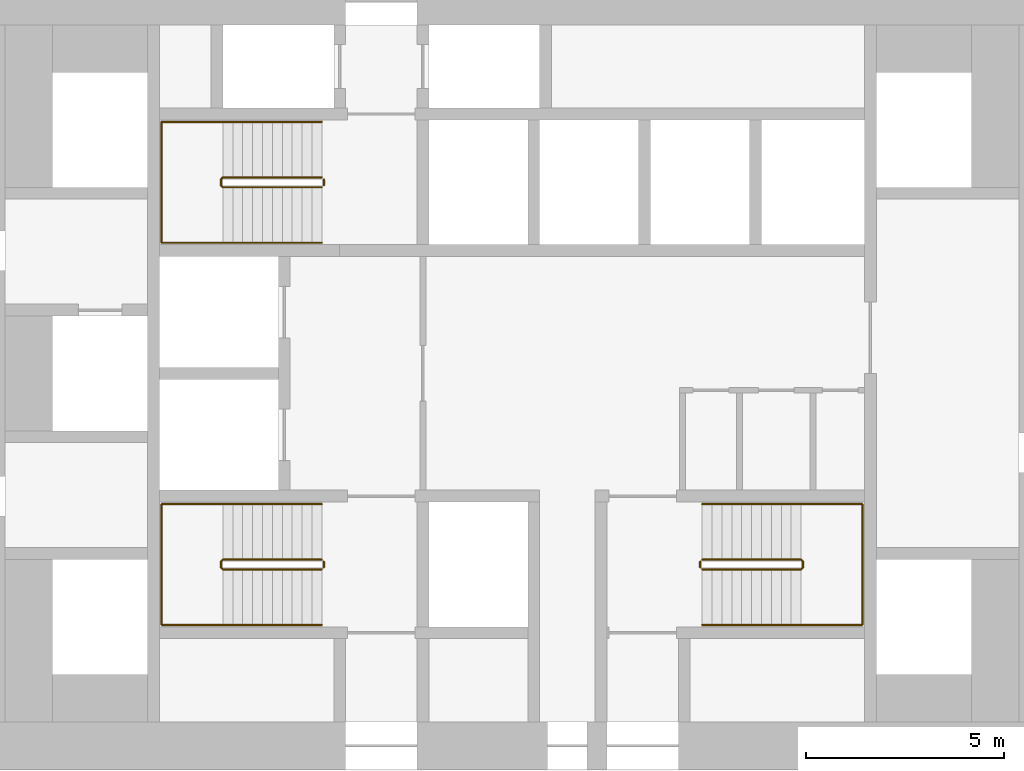
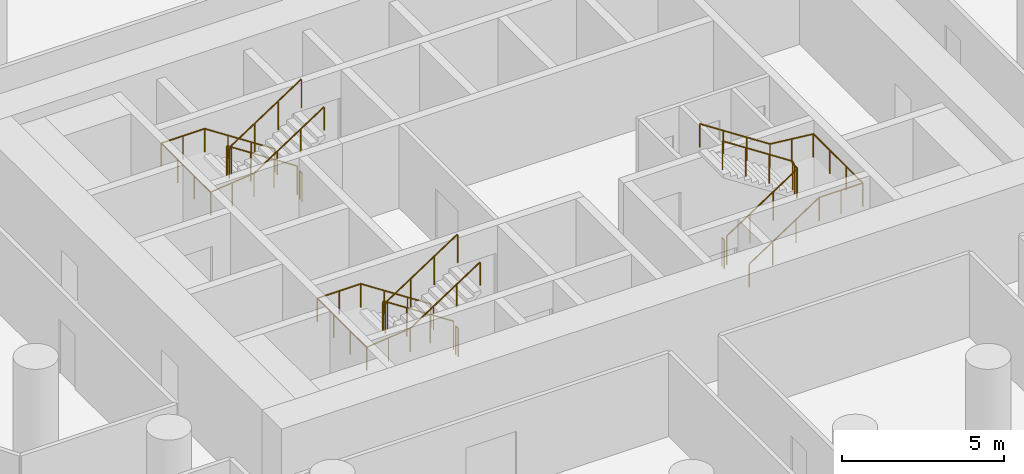
# One storey, part 11 of 11: 9 railings.
"""IFC4 building model written with IfcOpenShell, lengths in metres."""

from ifc_helpers import new_model, si_unit, direction, frame, origin, origin_2d, place, context, subcontext, project, spatial, circle, extrude, material, type_object, element, save


model = new_model("IFC4")

# Units and contexts
model_context = context("Model", 3, precision=1e-05, world=origin(), true_north=direction((0.0, 1.0)))
body_context = subcontext(model_context, "Body", "Model", "MODEL_VIEW")
ifc_project = project(units=[si_unit("LENGTHUNIT", "METRE"), si_unit("AREAUNIT", "SQUARE_METRE"), si_unit("VOLUMEUNIT", "CUBIC_METRE"), si_unit("PLANEANGLEUNIT", "RADIAN"), si_unit("MASSUNIT", "GRAM", prefix="KILO")], contexts=[model_context])

# Site, building, storey
site_placement = place(None, origin())
site = spatial("IfcSite", under=ifc_project, at=site_placement, CompositionType="ELEMENT")
building_placement = place(site_placement, origin())
building = spatial("IfcBuilding", under=site, at=building_placement, Name="Tracery Tower", CompositionType="ELEMENT")
storey_placement = place(building_placement, frame((0.0, 0.0, 64.199951171875)))
storey = spatial("IfcBuildingStorey", under=building, at=storey_placement, Name="L15", CompositionType="ELEMENT", Elevation=64.199951171875)

# Railings
ifc_material_1 = material(Name="Stainless steel and laminated glass", Category="steel")
railing_type_1 = type_object("IfcRailingType", Name="Stair guard 1100", PredefinedType="GUARDRAIL", material=ifc_material_1)
railing_1_placement = place(storey_placement, frame((-4.800048828125, -4.699951171875, 0.16357421875)))
element("IfcRailing", 1, at=railing_1_placement, inside=storey, type_object=railing_type_1, Name="L15 stair ST1 guard 1", PredefinedType="GUARDRAIL", context=body_context, shape_type="SweptSolid", body=[
    extrude(circle(Radius=0.02392578125, at=origin_2d()), frame((0.0, 0.0, 1.076171875), z_axis=(-0.83668449804, 0.0, 0.54768517484), x_axis=(0.0, -1.0, 0.0)), (0.0, 0.0, 1.0), 2.988037109375),
    extrude(circle(Radius=0.02392578125, at=origin_2d()), frame((-2.5, 0.0, 2.71240234375), z_axis=(-0.707106781187, -0.707106781187, 0.0), x_axis=(0.707106781187, -0.707106781187, 0.0)), (0.0, 0.0, 1.0), 0.07080078125),
    extrude(circle(Radius=0.02392578125, at=origin_2d()), frame((-2.550048828125, -0.050048828125, 2.71240234375), z_axis=(0.0, -1.0, 0.0), x_axis=(1.0, 0.0, 0.0)), (0.0, 0.0, 1.0), 0.14990234375),
    extrude(circle(Radius=0.02392578125, at=origin_2d()), frame((-2.550048828125, -0.199951171875, 2.71240234375), z_axis=(0.280808744504, -0.280808744504, 0.917765164963), x_axis=(0.707106781187, 0.707106781187, 0.0)), (0.0, 0.0, 1.0), 0.17822265625),
    extrude(circle(Radius=0.02392578125, at=origin_2d()), frame((-2.5, -0.25, 2.8759765625), z_axis=(0.83668449804, 0.0, 0.54768517484), x_axis=(0.0, 1.0, 0.0)), (0.0, 0.0, 1.0), 2.988037109375),
    extrude(circle(Radius=0.02099609375, at=origin_2d()), origin(), (0.0, 0.0, 1.0), 1.052001953125),
    extrude(circle(Radius=0.02099609375, at=origin_2d()), frame((-0.833251953125, 0.0, 0.54541015625)), (0.0, 0.0, 1.0), 1.052001953125),
    extrude(circle(Radius=0.02099609375, at=origin_2d()), frame((-1.666748046875, 0.0, 1.091064453125)), (0.0, 0.0, 1.0), 1.052001953125),
    extrude(circle(Radius=0.02099609375, at=origin_2d()), frame((-2.5, 0.0, 1.636474609375)), (0.0, 0.0, 1.0), 1.052001953125),
    extrude(circle(Radius=0.02099609375, at=origin_2d()), frame((-2.550048828125, -0.050048828125, 1.636474609375)), (0.0, 0.0, 1.0), 1.052001953125),
    extrude(circle(Radius=0.02099609375, at=origin_2d()), frame((-2.550048828125, -0.199951171875, 1.636474609375)), (0.0, 0.0, 1.0), 1.052001953125),
    extrude(circle(Radius=0.02099609375, at=origin_2d()), frame((-2.5, -0.25, 1.800048828125)), (0.0, 0.0, 1.0), 1.052001953125),
    extrude(circle(Radius=0.02099609375, at=origin_2d()), frame((-1.666748046875, -0.25, 2.345458984375)), (0.0, 0.0, 1.0), 1.052001953125),
    extrude(circle(Radius=0.02099609375, at=origin_2d()), frame((-0.833251953125, -0.25, 2.89111328125)), (0.0, 0.0, 1.0), 1.052001953125),
    extrude(circle(Radius=0.02099609375, at=origin_2d()), frame((0.0, -0.25, 3.4365234375)), (0.0, 0.0, 1.0), 1.052001953125),
])
railing_2_placement = place(storey_placement, frame((-4.75, -4.75, 0.0)))
element("IfcRailing", 2, at=railing_2_placement, inside=storey, type_object=railing_type_1, Name="L15 stair ST1 guard 2", PredefinedType="GUARDRAIL", context=body_context, shape_type="SweptSolid", body=[
    extrude(circle(Radius=0.02392578125, at=origin_2d()), frame((0.0, 0.0, 1.076171875), z_axis=(0.0, -1.0, 0.0), x_axis=(1.0, 0.0, 0.0)), (0.0, 0.0, 1.0), 0.14990234375),
    extrude(circle(Radius=0.02099609375, at=origin_2d()), origin(), (0.0, 0.0, 1.0), 1.052001953125),
    extrude(circle(Radius=0.02099609375, at=origin_2d()), frame((0.0, -0.14990234375, 0.0)), (0.0, 0.0, 1.0), 1.052001953125),
])
railing_3_placement = place(storey_placement, frame((-4.800048828125, 4.949951171875, 0.16357421875)))
element("IfcRailing", 3, at=railing_3_placement, inside=storey, type_object=railing_type_1, Name="L15 stair ST3 guard 1", PredefinedType="GUARDRAIL", context=body_context, shape_type="SweptSolid", body=[
    extrude(circle(Radius=0.02392578125, at=origin_2d()), frame((0.0, 0.0, 1.076171875), z_axis=(-0.83668449804, 0.0, 0.54768517484), x_axis=(0.0, -1.0, 0.0)), (0.0, 0.0, 1.0), 2.988037109375),
    extrude(circle(Radius=0.02392578125, at=origin_2d()), frame((-2.5, 0.0, 2.71240234375), z_axis=(-0.707106781187, -0.707106781187, 0.0), x_axis=(0.707106781187, -0.707106781187, 0.0)), (0.0, 0.0, 1.0), 0.07080078125),
    extrude(circle(Radius=0.02392578125, at=origin_2d()), frame((-2.550048828125, -0.050048828125, 2.71240234375), z_axis=(0.0, -1.0, 0.0), x_axis=(1.0, 0.0, 0.0)), (0.0, 0.0, 1.0), 0.14990234375),
    extrude(circle(Radius=0.02392578125, at=origin_2d()), frame((-2.550048828125, -0.199951171875, 2.71240234375), z_axis=(0.280808744504, -0.280808744504, 0.917765164963), x_axis=(0.707106781187, 0.707106781187, 0.0)), (0.0, 0.0, 1.0), 0.17822265625),
    extrude(circle(Radius=0.02392578125, at=origin_2d()), frame((-2.5, -0.25, 2.8759765625), z_axis=(0.83668449804, 0.0, 0.54768517484), x_axis=(0.0, 1.0, 0.0)), (0.0, 0.0, 1.0), 2.988037109375),
    extrude(circle(Radius=0.02099609375, at=origin_2d()), origin(), (0.0, 0.0, 1.0), 1.052001953125),
    extrude(circle(Radius=0.02099609375, at=origin_2d()), frame((-0.833251953125, 0.0, 0.54541015625)), (0.0, 0.0, 1.0), 1.052001953125),
    extrude(circle(Radius=0.02099609375, at=origin_2d()), frame((-1.666748046875, 0.0, 1.091064453125)), (0.0, 0.0, 1.0), 1.052001953125),
    extrude(circle(Radius=0.02099609375, at=origin_2d()), frame((-2.5, 0.0, 1.636474609375)), (0.0, 0.0, 1.0), 1.052001953125),
    extrude(circle(Radius=0.02099609375, at=origin_2d()), frame((-2.550048828125, -0.050048828125, 1.636474609375)), (0.0, 0.0, 1.0), 1.052001953125),
    extrude(circle(Radius=0.02099609375, at=origin_2d()), frame((-2.550048828125, -0.199951171875, 1.636474609375)), (0.0, 0.0, 1.0), 1.052001953125),
    extrude(circle(Radius=0.02099609375, at=origin_2d()), frame((-2.5, -0.25, 1.800048828125)), (0.0, 0.0, 1.0), 1.052001953125),
    extrude(circle(Radius=0.02099609375, at=origin_2d()), frame((-1.666748046875, -0.25, 2.345458984375)), (0.0, 0.0, 1.0), 1.052001953125),
    extrude(circle(Radius=0.02099609375, at=origin_2d()), frame((-0.833251953125, -0.25, 2.89111328125)), (0.0, 0.0, 1.0), 1.052001953125),
    extrude(circle(Radius=0.02099609375, at=origin_2d()), frame((0.0, -0.25, 3.4365234375)), (0.0, 0.0, 1.0), 1.052001953125),
])
railing_4_placement = place(storey_placement, frame((-4.75, 4.89990234375, 0.0)))
element("IfcRailing", 4, at=railing_4_placement, inside=storey, type_object=railing_type_1, Name="L15 stair ST3 guard 2", PredefinedType="GUARDRAIL", context=body_context, shape_type="SweptSolid", body=[
    extrude(circle(Radius=0.02392578125, at=origin_2d()), frame((0.0, 0.0, 1.076171875), z_axis=(0.0, -1.0, 0.0), x_axis=(1.0, 0.0, 0.0)), (0.0, 0.0, 1.0), 0.14990234375),
    extrude(circle(Radius=0.02099609375, at=origin_2d()), origin(), (0.0, 0.0, 1.0), 1.052001953125),
    extrude(circle(Radius=0.02099609375, at=origin_2d()), frame((0.0, -0.14990234375, 0.0)), (0.0, 0.0, 1.0), 1.052001953125),
])
railing_5_placement = place(storey_placement, frame((4.800048828125, -4.949951171875, 0.16357421875)))
element("IfcRailing", 5, at=railing_5_placement, inside=storey, type_object=railing_type_1, Name="L15 stair ST2 guard 1", PredefinedType="GUARDRAIL", context=body_context, shape_type="SweptSolid", body=[
    extrude(circle(Radius=0.02392578125, at=origin_2d()), frame((0.0, 0.0, 1.076171875), z_axis=(0.83668449804, 0.0, 0.54768517484), x_axis=(0.0, 1.0, 0.0)), (0.0, 0.0, 1.0), 2.988037109375),
    extrude(circle(Radius=0.02392578125, at=origin_2d()), frame((2.5, 0.0, 2.71240234375), z_axis=(0.707106781187, 0.707106781187, 0.0), x_axis=(-0.707106781187, 0.707106781187, 0.0)), (0.0, 0.0, 1.0), 0.07080078125),
    extrude(circle(Radius=0.02392578125, at=origin_2d()), frame((2.550048828125, 0.050048828125, 2.71240234375), z_axis=(0.0, 1.0, 0.0), x_axis=(-1.0, 0.0, 0.0)), (0.0, 0.0, 1.0), 0.14990234375),
    extrude(circle(Radius=0.02392578125, at=origin_2d()), frame((2.550048828125, 0.199951171875, 2.71240234375), z_axis=(-0.280808744504, 0.280808744504, 0.917765164963), x_axis=(-0.707106781187, -0.707106781187, 0.0)), (0.0, 0.0, 1.0), 0.17822265625),
    extrude(circle(Radius=0.02392578125, at=origin_2d()), frame((2.5, 0.25, 2.8759765625), z_axis=(-0.83668449804, 0.0, 0.54768517484), x_axis=(0.0, -1.0, 0.0)), (0.0, 0.0, 1.0), 2.988037109375),
    extrude(circle(Radius=0.02099609375, at=origin_2d()), origin(), (0.0, 0.0, 1.0), 1.052001953125),
    extrude(circle(Radius=0.02099609375, at=origin_2d()), frame((0.833251953125, 0.0, 0.54541015625)), (0.0, 0.0, 1.0), 1.052001953125),
    extrude(circle(Radius=0.02099609375, at=origin_2d()), frame((1.666748046875, 0.0, 1.091064453125)), (0.0, 0.0, 1.0), 1.052001953125),
    extrude(circle(Radius=0.02099609375, at=origin_2d()), frame((2.5, 0.0, 1.636474609375)), (0.0, 0.0, 1.0), 1.052001953125),
    extrude(circle(Radius=0.02099609375, at=origin_2d()), frame((2.550048828125, 0.050048828125, 1.636474609375)), (0.0, 0.0, 1.0), 1.052001953125),
    extrude(circle(Radius=0.02099609375, at=origin_2d()), frame((2.550048828125, 0.199951171875, 1.636474609375)), (0.0, 0.0, 1.0), 1.052001953125),
    extrude(circle(Radius=0.02099609375, at=origin_2d()), frame((2.5, 0.25, 1.800048828125)), (0.0, 0.0, 1.0), 1.052001953125),
    extrude(circle(Radius=0.02099609375, at=origin_2d()), frame((1.666748046875, 0.25, 2.345458984375)), (0.0, 0.0, 1.0), 1.052001953125),
    extrude(circle(Radius=0.02099609375, at=origin_2d()), frame((0.833251953125, 0.25, 2.89111328125)), (0.0, 0.0, 1.0), 1.052001953125),
    extrude(circle(Radius=0.02099609375, at=origin_2d()), frame((0.0, 0.25, 3.4365234375)), (0.0, 0.0, 1.0), 1.052001953125),
])
railing_6_placement = place(storey_placement, frame((4.75, -4.89990234375, 0.0)))
element("IfcRailing", 6, at=railing_6_placement, inside=storey, type_object=railing_type_1, Name="L15 stair ST2 guard 2", PredefinedType="GUARDRAIL", context=body_context, shape_type="SweptSolid", body=[
    extrude(circle(Radius=0.02392578125, at=origin_2d()), frame((0.0, 0.0, 1.076171875), z_axis=(0.0, 1.0, 0.0), x_axis=(-1.0, 0.0, 0.0)), (0.0, 0.0, 1.0), 0.14990234375),
    extrude(circle(Radius=0.02099609375, at=origin_2d()), origin(), (0.0, 0.0, 1.0), 1.052001953125),
    extrude(circle(Radius=0.02099609375, at=origin_2d()), frame((0.0, 0.14990234375, 0.0)), (0.0, 0.0, 1.0), 1.052001953125),
])
ifc_material_2 = material(Name="Stainless steel and laminated glass", Category="steel")
railing_type_2 = type_object("IfcRailingType", Name="Stair handrail 900", PredefinedType="HANDRAIL", material=ifc_material_2)
railing_7_placement = place(storey_placement, frame((-4.800048828125, -3.300048828125, 0.16357421875)))
element("IfcRailing", 7, at=railing_7_placement, inside=storey, type_object=railing_type_2, Name="L15 stair ST1 handrail 1", PredefinedType="HANDRAIL", context=body_context, shape_type="SweptSolid", body=[
    extrude(circle(Radius=0.02392578125, at=origin_2d()), frame((0.0, 0.0, 0.8759765625), z_axis=(-0.83668449804, 0.0, 0.54768517484), x_axis=(0.0, -1.0, 0.0)), (0.0, 0.0, 1.0), 2.988037109375),
    extrude(circle(Radius=0.02392578125, at=origin_2d()), frame((-2.5, 0.0, 2.51220703125), z_axis=(-1.0, 0.0, 0.0), x_axis=(0.0, -1.0, 0.0)), (0.0, 0.0, 1.0), 1.550048828125),
    extrude(circle(Radius=0.02392578125, at=origin_2d()), frame((-4.050048828125, 0.0, 2.51220703125), z_axis=(0.0, -1.0, 0.0), x_axis=(1.0, 0.0, 0.0)), (0.0, 0.0, 1.0), 3.050048828125),
    extrude(circle(Radius=0.02392578125, at=origin_2d()), frame((-4.050048828125, -3.050048828125, 2.51220703125), z_axis=(0.994477953863, 0.0, 0.104945696817), x_axis=(0.0, 1.0, 0.0)), (0.0, 0.0, 1.0), 1.55859375),
    extrude(circle(Radius=0.02392578125, at=origin_2d()), frame((-2.5, -3.050048828125, 2.67578125), z_axis=(0.83668449804, 0.0, 0.54768517484), x_axis=(0.0, 1.0, 0.0)), (0.0, 0.0, 1.0), 2.988037109375),
    extrude(circle(Radius=0.02099609375, at=origin_2d()), origin(), (0.0, 0.0, 1.0), 0.851806640625),
    extrude(circle(Radius=0.02099609375, at=origin_2d()), frame((-0.833251953125, 0.0, 0.54541015625)), (0.0, 0.0, 1.0), 0.851806640625),
    extrude(circle(Radius=0.02099609375, at=origin_2d()), frame((-1.666748046875, 0.0, 1.091064453125)), (0.0, 0.0, 1.0), 0.851806640625),
    extrude(circle(Radius=0.02099609375, at=origin_2d()), frame((-2.5, 0.0, 1.636474609375)), (0.0, 0.0, 1.0), 0.851806640625),
    extrude(circle(Radius=0.02099609375, at=origin_2d()), frame((-3.27490234375, 0.0, 1.636474609375)), (0.0, 0.0, 1.0), 0.851806640625),
    extrude(circle(Radius=0.02099609375, at=origin_2d()), frame((-4.050048828125, 0.0, 1.636474609375)), (0.0, 0.0, 1.0), 0.851806640625),
    extrude(circle(Radius=0.02099609375, at=origin_2d()), frame((-4.050048828125, -1.0166015625, 1.636474609375)), (0.0, 0.0, 1.0), 0.851806640625),
    extrude(circle(Radius=0.02099609375, at=origin_2d()), frame((-4.050048828125, -2.033447265625, 1.636474609375)), (0.0, 0.0, 1.0), 0.851806640625),
    extrude(circle(Radius=0.02099609375, at=origin_2d()), frame((-4.050048828125, -3.050048828125, 1.636474609375)), (0.0, 0.0, 1.0), 0.851806640625),
    extrude(circle(Radius=0.02099609375, at=origin_2d()), frame((-3.27490234375, -3.050048828125, 1.71826171875)), (0.0, 0.0, 1.0), 0.851806640625),
    extrude(circle(Radius=0.02099609375, at=origin_2d()), frame((-2.5, -3.050048828125, 1.800048828125)), (0.0, 0.0, 1.0), 0.851806640625),
    extrude(circle(Radius=0.02099609375, at=origin_2d()), frame((-1.666748046875, -3.050048828125, 2.345458984375)), (0.0, 0.0, 1.0), 0.851806640625),
    extrude(circle(Radius=0.02099609375, at=origin_2d()), frame((-0.833251953125, -3.050048828125, 2.89111328125)), (0.0, 0.0, 1.0), 0.851806640625),
    extrude(circle(Radius=0.02099609375, at=origin_2d()), frame((0.0, -3.050048828125, 3.4365234375)), (0.0, 0.0, 1.0), 0.851806640625),
])
railing_8_placement = place(storey_placement, frame((-4.800048828125, 6.35009765625, 0.16357421875)))
element("IfcRailing", 8, at=railing_8_placement, inside=storey, type_object=railing_type_2, Name="L15 stair ST3 handrail 1", PredefinedType="HANDRAIL", context=body_context, shape_type="SweptSolid", body=[
    extrude(circle(Radius=0.02392578125, at=origin_2d()), frame((0.0, 0.0, 0.8759765625), z_axis=(-0.83668449804, 0.0, 0.54768517484), x_axis=(0.0, -1.0, 0.0)), (0.0, 0.0, 1.0), 2.988037109375),
    extrude(circle(Radius=0.02392578125, at=origin_2d()), frame((-2.5, 0.0, 2.51220703125), z_axis=(-1.0, 0.0, 0.0), x_axis=(0.0, -1.0, 0.0)), (0.0, 0.0, 1.0), 1.550048828125),
    extrude(circle(Radius=0.02392578125, at=origin_2d()), frame((-4.050048828125, 0.0, 2.51220703125), z_axis=(0.0, -1.0, 0.0), x_axis=(1.0, 0.0, 0.0)), (0.0, 0.0, 1.0), 3.050048828125),
    extrude(circle(Radius=0.02392578125, at=origin_2d()), frame((-4.050048828125, -3.050048828125, 2.51220703125), z_axis=(0.994477953863, 0.0, 0.104945696817), x_axis=(0.0, 1.0, 0.0)), (0.0, 0.0, 1.0), 1.55859375),
    extrude(circle(Radius=0.02392578125, at=origin_2d()), frame((-2.5, -3.050048828125, 2.67578125), z_axis=(0.83668449804, 0.0, 0.54768517484), x_axis=(0.0, 1.0, 0.0)), (0.0, 0.0, 1.0), 2.988037109375),
    extrude(circle(Radius=0.02099609375, at=origin_2d()), origin(), (0.0, 0.0, 1.0), 0.851806640625),
    extrude(circle(Radius=0.02099609375, at=origin_2d()), frame((-0.833251953125, 0.0, 0.54541015625)), (0.0, 0.0, 1.0), 0.851806640625),
    extrude(circle(Radius=0.02099609375, at=origin_2d()), frame((-1.666748046875, 0.0, 1.091064453125)), (0.0, 0.0, 1.0), 0.851806640625),
    extrude(circle(Radius=0.02099609375, at=origin_2d()), frame((-2.5, 0.0, 1.636474609375)), (0.0, 0.0, 1.0), 0.851806640625),
    extrude(circle(Radius=0.02099609375, at=origin_2d()), frame((-3.27490234375, 0.0, 1.636474609375)), (0.0, 0.0, 1.0), 0.851806640625),
    extrude(circle(Radius=0.02099609375, at=origin_2d()), frame((-4.050048828125, 0.0, 1.636474609375)), (0.0, 0.0, 1.0), 0.851806640625),
    extrude(circle(Radius=0.02099609375, at=origin_2d()), frame((-4.050048828125, -1.0166015625, 1.636474609375)), (0.0, 0.0, 1.0), 0.851806640625),
    extrude(circle(Radius=0.02099609375, at=origin_2d()), frame((-4.050048828125, -2.033447265625, 1.636474609375)), (0.0, 0.0, 1.0), 0.851806640625),
    extrude(circle(Radius=0.02099609375, at=origin_2d()), frame((-4.050048828125, -3.050048828125, 1.636474609375)), (0.0, 0.0, 1.0), 0.851806640625),
    extrude(circle(Radius=0.02099609375, at=origin_2d()), frame((-3.27490234375, -3.050048828125, 1.71826171875)), (0.0, 0.0, 1.0), 0.851806640625),
    extrude(circle(Radius=0.02099609375, at=origin_2d()), frame((-2.5, -3.050048828125, 1.800048828125)), (0.0, 0.0, 1.0), 0.851806640625),
    extrude(circle(Radius=0.02099609375, at=origin_2d()), frame((-1.666748046875, -3.050048828125, 2.345458984375)), (0.0, 0.0, 1.0), 0.851806640625),
    extrude(circle(Radius=0.02099609375, at=origin_2d()), frame((-0.833251953125, -3.050048828125, 2.89111328125)), (0.0, 0.0, 1.0), 0.851806640625),
    extrude(circle(Radius=0.02099609375, at=origin_2d()), frame((0.0, -3.050048828125, 3.4365234375)), (0.0, 0.0, 1.0), 0.851806640625),
])
railing_9_placement = place(storey_placement, frame((4.800048828125, -6.35009765625, 0.16357421875)))
element("IfcRailing", 9, at=railing_9_placement, inside=storey, type_object=railing_type_2, Name="L15 stair ST2 handrail 1", PredefinedType="HANDRAIL", context=body_context, shape_type="SweptSolid", body=[
    extrude(circle(Radius=0.02392578125, at=origin_2d()), frame((0.0, 0.0, 0.8759765625), z_axis=(0.83668449804, 0.0, 0.54768517484), x_axis=(0.0, 1.0, 0.0)), (0.0, 0.0, 1.0), 2.988037109375),
    extrude(circle(Radius=0.02392578125, at=origin_2d()), frame((2.5, 0.0, 2.51220703125), z_axis=(1.0, 0.0, 0.0), x_axis=(0.0, 1.0, 0.0)), (0.0, 0.0, 1.0), 1.550048828125),
    extrude(circle(Radius=0.02392578125, at=origin_2d()), frame((4.050048828125, 0.0, 2.51220703125), z_axis=(0.0, 1.0, 0.0), x_axis=(-1.0, 0.0, 0.0)), (0.0, 0.0, 1.0), 3.050048828125),
    extrude(circle(Radius=0.02392578125, at=origin_2d()), frame((4.050048828125, 3.050048828125, 2.51220703125), z_axis=(-0.994477953863, 0.0, 0.104945696817), x_axis=(0.0, -1.0, 0.0)), (0.0, 0.0, 1.0), 1.55859375),
    extrude(circle(Radius=0.02392578125, at=origin_2d()), frame((2.5, 3.050048828125, 2.67578125), z_axis=(-0.83668449804, 0.0, 0.54768517484), x_axis=(0.0, -1.0, 0.0)), (0.0, 0.0, 1.0), 2.988037109375),
    extrude(circle(Radius=0.02099609375, at=origin_2d()), origin(), (0.0, 0.0, 1.0), 0.851806640625),
    extrude(circle(Radius=0.02099609375, at=origin_2d()), frame((0.833251953125, 0.0, 0.54541015625)), (0.0, 0.0, 1.0), 0.851806640625),
    extrude(circle(Radius=0.02099609375, at=origin_2d()), frame((1.666748046875, 0.0, 1.091064453125)), (0.0, 0.0, 1.0), 0.851806640625),
    extrude(circle(Radius=0.02099609375, at=origin_2d()), frame((2.5, 0.0, 1.636474609375)), (0.0, 0.0, 1.0), 0.851806640625),
    extrude(circle(Radius=0.02099609375, at=origin_2d()), frame((3.27490234375, 0.0, 1.636474609375)), (0.0, 0.0, 1.0), 0.851806640625),
    extrude(circle(Radius=0.02099609375, at=origin_2d()), frame((4.050048828125, 0.0, 1.636474609375)), (0.0, 0.0, 1.0), 0.851806640625),
    extrude(circle(Radius=0.02099609375, at=origin_2d()), frame((4.050048828125, 1.0166015625, 1.636474609375)), (0.0, 0.0, 1.0), 0.851806640625),
    extrude(circle(Radius=0.02099609375, at=origin_2d()), frame((4.050048828125, 2.033447265625, 1.636474609375)), (0.0, 0.0, 1.0), 0.851806640625),
    extrude(circle(Radius=0.02099609375, at=origin_2d()), frame((4.050048828125, 3.050048828125, 1.636474609375)), (0.0, 0.0, 1.0), 0.851806640625),
    extrude(circle(Radius=0.02099609375, at=origin_2d()), frame((3.27490234375, 3.050048828125, 1.71826171875)), (0.0, 0.0, 1.0), 0.851806640625),
    extrude(circle(Radius=0.02099609375, at=origin_2d()), frame((2.5, 3.050048828125, 1.800048828125)), (0.0, 0.0, 1.0), 0.851806640625),
    extrude(circle(Radius=0.02099609375, at=origin_2d()), frame((1.666748046875, 3.050048828125, 2.345458984375)), (0.0, 0.0, 1.0), 0.851806640625),
    extrude(circle(Radius=0.02099609375, at=origin_2d()), frame((0.833251953125, 3.050048828125, 2.89111328125)), (0.0, 0.0, 1.0), 0.851806640625),
    extrude(circle(Radius=0.02099609375, at=origin_2d()), frame((0.0, 3.050048828125, 3.4365234375)), (0.0, 0.0, 1.0), 0.851806640625),
])

save(model, "model.ifc")
